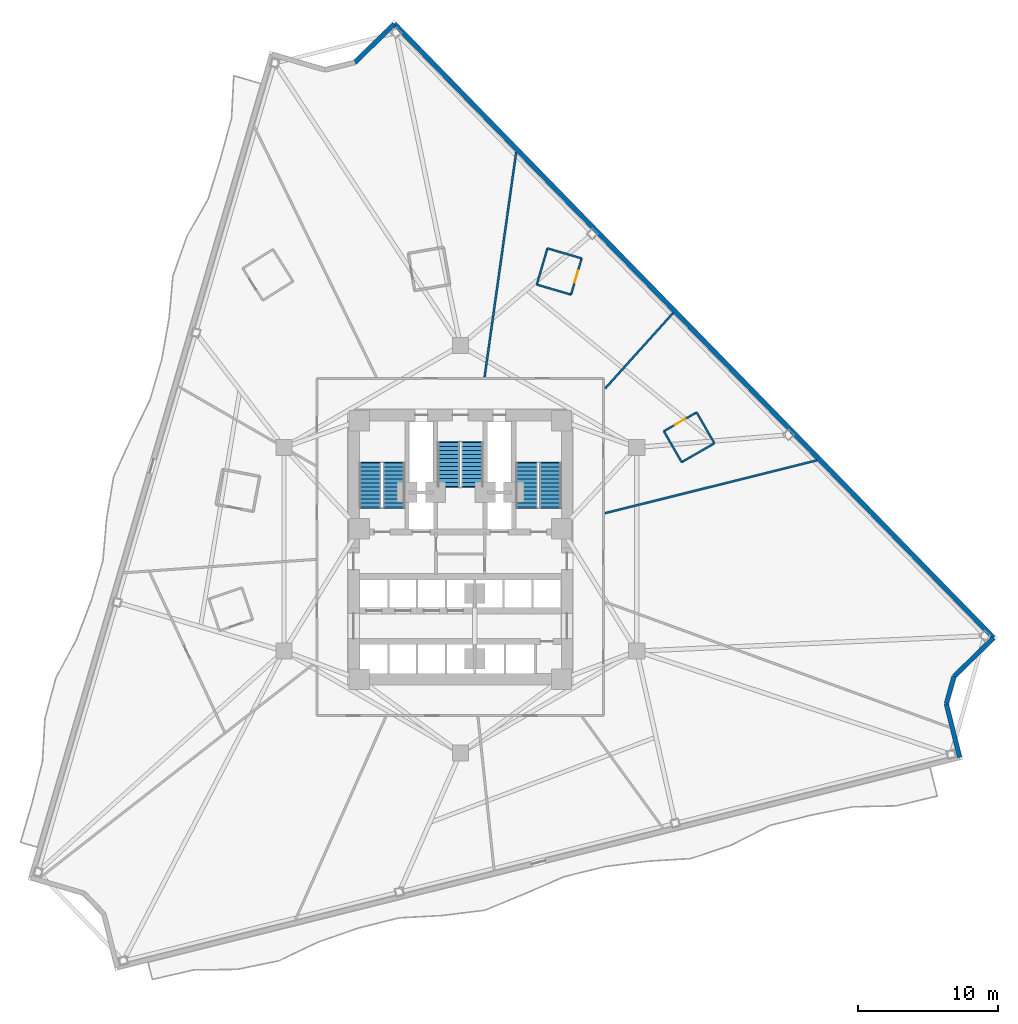
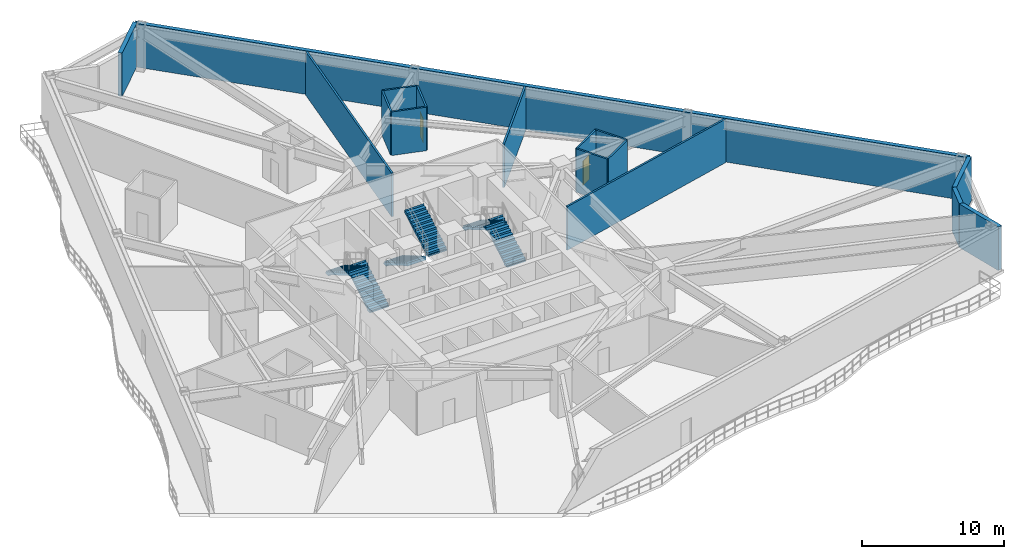
# One storey, part 6 of 9: 16 walls, 6 stair flights, 2 doors, 2 openings, 3 elements without a shape of their own.
"""IFC4 building model written with IfcOpenShell, lengths in metres."""

from ifc_helpers import new_model, si_unit, direction, frame, frame_2d, origin, place, context, subcontext, project, spatial, polyline, rectangle, outline, extrude, material, layer, layer_set, type_object, element, fill, aggregate, save


model = new_model("IFC4")

# Units and contexts
model_context = context("Model", 3, precision=1e-05, world=origin(), true_north=direction((0.0, 1.0)))
body_context = subcontext(model_context, "Body", "Model", "MODEL_VIEW")
ifc_project = project(units=[si_unit("LENGTHUNIT", "METRE"), si_unit("AREAUNIT", "SQUARE_METRE"), si_unit("VOLUMEUNIT", "CUBIC_METRE"), si_unit("PLANEANGLEUNIT", "RADIAN"), si_unit("MASSUNIT", "GRAM", prefix="KILO")], contexts=[model_context])

# Site, building, storey
site_placement = place(None, origin())
site = spatial("IfcSite", under=ifc_project, at=site_placement, CompositionType="ELEMENT")
building_placement = place(site_placement, origin())
building = spatial("IfcBuilding", under=site, at=building_placement, Name="Apsidion Concourse Tower", CompositionType="ELEMENT")
storey_placement = place(building_placement, frame((0.0, 0.0, 119.0)))
storey = spatial("IfcBuildingStorey", under=building, at=storey_placement, Name="L27", CompositionType="ELEMENT", Elevation=119.0)

# Walls
ifc_material_1 = material(Name="Precast concrete C40/50", Category="concrete")
ifc_layer_1 = layer(ifc_material_1, 0.320068359375)
ifc_layer_set_1 = layer_set([ifc_layer_1], Name="Precast concrete C40/50")
wall_type_1 = type_object("IfcWallType", Name="WL-EXT-320", PredefinedType="STANDARD", material=ifc_layer_set_1)
wall_1_placement = place(storey_placement, frame((-4.6982421875, 37.40185546875, 0.0), z_axis=(0.0, 0.0, 1.0), x_axis=(0.698490621109, -0.715619208954, 0.0)))
element("IfcWall", 1, at=wall_1_placement, inside=storey, type_object=wall_type_1, Name="L27 Precast Stone Facade Wall 01", PredefinedType="STANDARD", context=body_context, shape_type="SweptSolid", body=[
    extrude(rectangle(XDim=61.075927734375, YDim=0.320068359375, at=frame_2d((30.5380859375, 0.0))), origin(), (0.0, 0.0, 1.0), 3.75),
])
wall_2_placement = place(storey_placement, frame((37.962646484375, -6.30517578125, 0.0), z_axis=(0.0, 0.0, 1.0), x_axis=(-0.71562223009, -0.698487525873, 0.0)))
element("IfcWall", 2, at=wall_2_placement, inside=storey, type_object=wall_type_1, Name="L27 Precast Stone Facade Wall 02", PredefinedType="STANDARD", context=body_context, shape_type="SweptSolid", body=[
    extrude(rectangle(XDim=3.9326171875, YDim=0.320068359375, at=frame_2d((1.96630859375, 0.0))), origin(), (0.0, 0.0, 1.0), 3.75),
])
wall_3_placement = place(storey_placement, frame((35.1484375, -9.052001953125, 0.0), z_axis=(0.0, 0.0, 1.0), x_axis=(-0.27306692697, -0.961995038134, 0.0)))
element("IfcWall", 3, at=wall_3_placement, inside=storey, type_object=wall_type_1, Name="L27 Precast Stone Facade Wall 03", PredefinedType="STANDARD", context=body_context, shape_type="SweptSolid", body=[
    extrude(rectangle(XDim=2.02783203125, YDim=0.320068359375, at=frame_2d((1.013916015625, 0.0))), origin(), (0.0, 0.0, 1.0), 3.75),
])
wall_4_placement = place(storey_placement, frame((34.5947265625, -11.002685546875, 0.0), z_axis=(0.0, 0.0, 1.0), x_axis=(0.241936662418, -0.970292044375, 0.0)))
element("IfcWall", 4, at=wall_4_placement, inside=storey, type_object=wall_type_1, Name="L27 Precast Stone Facade Wall 04", PredefinedType="STANDARD", context=body_context, shape_type="SweptSolid", body=[
    extrude(rectangle(XDim=3.9326171875, YDim=0.320068359375, at=frame_2d((1.96630859375, 0.0))), origin(), (0.0, 0.0, 1.0), 3.75),
])
wall_5_placement = place(storey_placement, frame((-7.51318359375, 34.654296875, 0.0), z_axis=(0.0, 0.0, 1.0), x_axis=(0.715620001602, 0.698489809022, 0.0)))
element("IfcWall", 5, at=wall_5_placement, inside=storey, type_object=wall_type_1, Name="L27 Precast Stone Facade Wall 12", PredefinedType="STANDARD", context=body_context, shape_type="SweptSolid", body=[
    extrude(rectangle(XDim=3.93359375, YDim=0.320068359375, at=frame_2d((1.966796875, 0.0))), origin(), (0.0, 0.0, 1.0), 3.75),
])
ifc_material_2 = material(Name="Gypsum plasterboard partition")
ifc_layer_2 = layer(ifc_material_2, 0.139892578125)
ifc_layer_set_2 = layer_set([ifc_layer_2], Name="Gypsum plasterboard partition")
wall_type_2 = type_object("IfcWallType", Name="WL-INT-PAR-140", PredefinedType="PARTITIONING", material=ifc_layer_set_2)
wall_6_placement = place(storey_placement, frame((15.755859375, 6.202880859375, 0.0), z_axis=(0.0, 0.0, 1.0), x_axis=(0.866882771683, 0.498512046153, 0.0)))
element("IfcWall", 6, at=wall_6_placement, inside=storey, type_object=wall_type_2, Name="L27 Interior Partition WL-L27-POD-ENS06-S1", PredefinedType="PARTITIONING", context=body_context, shape_type="SweptSolid", body=[
    extrude(rectangle(XDim=2.690185546875, YDim=0.139892578125, at=frame_2d((1.34521484375, 0.0))), origin(), (0.0, 0.0, 1.0), 3.75),
])
wall_7_placement = place(storey_placement, frame((18.087890625, 7.5439453125, 0.0), z_axis=(0.0, 0.0, 1.0), x_axis=(-0.498476541984, 0.866903187843, 0.0)))
element("IfcWall", 7, at=wall_7_placement, inside=storey, type_object=wall_type_2, Name="L27 Interior Partition WL-L27-POD-ENS06-S2", PredefinedType="PARTITIONING", context=body_context, shape_type="SweptSolid", body=[
    extrude(rectangle(XDim=2.5400390625, YDim=0.139892578125, at=frame_2d((1.27001953125, 0.0))), origin(), (0.0, 0.0, 1.0), 3.75),
])

# Wall, opening, door
wall_8_placement = place(storey_placement, frame((16.82177734375, 9.745849609375, 0.0), z_axis=(0.0, 0.0, 1.0), x_axis=(-0.866921990277, -0.498443841143, 0.0)))
wall_8 = element("IfcWall", 8, at=wall_8_placement, inside=storey, type_object=wall_type_2, Name="L27 Interior Partition WL-L27-POD-ENS06-S3", PredefinedType="PARTITIONING", context=body_context, shape_type="SweptSolid", body=[
    extrude(rectangle(XDim=2.68994140625, YDim=0.139892578125, at=frame_2d((1.344970703125, 0.0))), origin(), (0.0, 0.0, 1.0), 3.75),
])
opening_1_placement = place(wall_8_placement, frame((0.905029296875, 0.0, 0.0)))
opening_1 = element("IfcOpeningElement", 9, at=opening_1_placement, cuts=wall_8, Name="Opening D-03L", PredefinedType="OPENING", context=body_context, shape_type="SweptSolid", body=[
    extrude(rectangle(XDim=0.8798828125, YDim=2.10009765625, at=frame_2d((0.43994140625, 1.050048828125))), frame((0.0, 0.080078125, 0.0), z_axis=(0.0, -1.0, 0.0), x_axis=(1.0, 0.0, 0.0)), (0.0, 0.0, 1.0), 0.159912109375),
])
ifc_material_3 = material(Name="Anodised aluminium EN AW-6063 T6", Category="aluminium")
door_type_1 = type_object("IfcDoorType", Name="DR-INT-D03L", OperationType="SINGLE_SWING_LEFT", PredefinedType="DOOR", material=ifc_material_3)
door_1_placement = place(opening_1_placement, origin())
door_1 = element("IfcDoor", 10, at=door_1_placement, inside=storey, type_object=door_type_1, Name="L27 Guest En-Suite Bathroom Door ENS06", OperationType="SINGLE_SWING_LEFT", OverallHeight=2.10009765625, OverallWidth=0.8798828125, PredefinedType="DOOR", context=body_context, shape_type="SweptSolid", body=[
    extrude(rectangle(XDim=0.8798828125, YDim=2.10009765625, at=frame_2d((0.43994140625, 1.050048828125))), frame((0.0, 0.02490234375, 0.0), z_axis=(0.0, -1.0, 0.0), x_axis=(1.0, 0.0, 0.0)), (0.0, 0.0, 1.0), 0.050048828125),
])
fill(opening_1, door_1)

# Wall
wall_9_placement = place(storey_placement, frame((14.48974609375, 8.405029296875, 0.0), z_axis=(0.0, 0.0, 1.0), x_axis=(0.498435008598, -0.866927068561, 0.0)))
element("IfcWall", 11, at=wall_9_placement, inside=storey, type_object=wall_type_2, Name="L27 Interior Partition WL-L27-POD-ENS06-S4", PredefinedType="PARTITIONING", context=body_context, shape_type="SweptSolid", body=[
    extrude(rectangle(XDim=2.540283203125, YDim=0.139892578125, at=frame_2d((1.27001953125, 0.0))), origin(), (0.0, 0.0, 1.0), 3.75),
])

# Wall, opening, door
wall_10_placement = place(storey_placement, frame((7.87939453125, 18.130615234375, 0.0), z_axis=(0.0, 0.0, 1.0), x_axis=(0.28072135576, 0.959789310432, 0.0)))
wall_10 = element("IfcWall", 12, at=wall_10_placement, inside=storey, type_object=wall_type_2, Name="L27 Interior Partition WL-L27-POD-ENS07-S1", PredefinedType="PARTITIONING", context=body_context, shape_type="SweptSolid", body=[
    extrude(rectangle(XDim=2.68994140625, YDim=0.139892578125, at=frame_2d((1.344970703125, 0.0))), origin(), (0.0, 0.0, 1.0), 3.75),
])
opening_2_placement = place(wall_10_placement, frame((0.905029296875, 0.0, 0.0)))
opening_2 = element("IfcOpeningElement", 13, at=opening_2_placement, cuts=wall_10, Name="Opening D-03R", PredefinedType="OPENING", context=body_context, shape_type="SweptSolid", body=[
    extrude(rectangle(XDim=0.8798828125, YDim=2.10009765625, at=frame_2d((0.43994140625, 1.050048828125))), frame((0.0, 0.080078125, 0.0), z_axis=(0.0, -1.0, 0.0), x_axis=(1.0, 0.0, 0.0)), (0.0, 0.0, 1.0), 0.159912109375),
])
door_type_2 = type_object("IfcDoorType", Name="DR-INT-D03R", OperationType="SINGLE_SWING_RIGHT", PredefinedType="DOOR", material=ifc_material_3)
door_2_placement = place(opening_2_placement, origin())
door_2 = element("IfcDoor", 14, at=door_2_placement, inside=storey, type_object=door_type_2, Name="L27 Guest En-Suite Bathroom Door ENS07", OperationType="SINGLE_SWING_RIGHT", OverallHeight=2.10009765625, OverallWidth=0.8798828125, PredefinedType="DOOR", context=body_context, shape_type="SweptSolid", body=[
    extrude(rectangle(XDim=0.8798828125, YDim=2.10009765625, at=frame_2d((0.43994140625, 1.050048828125))), frame((0.0, 0.02490234375, 0.0), z_axis=(0.0, -1.0, 0.0), x_axis=(1.0, 0.0, 0.0)), (0.0, 0.0, 1.0), 0.050048828125),
])
fill(opening_2, door_2)

# Walls
wall_11_placement = place(storey_placement, frame((8.634521484375, 20.71240234375, 0.0), z_axis=(0.0, 0.0, 1.0), x_axis=(-0.959808159588, 0.280656902263, 0.0)))
element("IfcWall", 15, at=wall_11_placement, inside=storey, type_object=wall_type_2, Name="L27 Interior Partition WL-L27-POD-ENS07-S2", PredefinedType="PARTITIONING", context=body_context, shape_type="SweptSolid", body=[
    extrude(rectangle(XDim=2.5400390625, YDim=0.139892578125, at=frame_2d((1.27001953125, 0.0))), origin(), (0.0, 0.0, 1.0), 3.75),
])
wall_12_placement = place(storey_placement, frame((6.196533203125, 21.42529296875, 0.0), z_axis=(0.0, 0.0, 1.0), x_axis=(-0.28072135576, -0.959789310432, 0.0)))
element("IfcWall", 16, at=wall_12_placement, inside=storey, type_object=wall_type_2, Name="L27 Interior Partition WL-L27-POD-ENS07-S3", PredefinedType="PARTITIONING", context=body_context, shape_type="SweptSolid", body=[
    extrude(rectangle(XDim=2.68994140625, YDim=0.139892578125, at=frame_2d((1.344970703125, 0.0))), origin(), (0.0, 0.0, 1.0), 3.75),
])
wall_13_placement = place(storey_placement, frame((5.44140625, 18.843505859375, 0.0), z_axis=(0.0, 0.0, 1.0), x_axis=(0.959808159588, -0.280656902263, 0.0)))
element("IfcWall", 17, at=wall_13_placement, inside=storey, type_object=wall_type_2, Name="L27 Interior Partition WL-L27-POD-ENS07-S4", PredefinedType="PARTITIONING", context=body_context, shape_type="SweptSolid", body=[
    extrude(rectangle(XDim=2.5400390625, YDim=0.139892578125, at=frame_2d((1.27001953125, 0.0))), origin(), (0.0, 0.0, 1.0), 3.75),
])
ifc_layer_3 = layer(ifc_material_2, 0.14990234375)
ifc_layer_set_3 = layer_set([ifc_layer_3], Name="Gypsum plasterboard partition")
wall_type_3 = type_object("IfcWallType", Name="WL-INT-PAR-150", PredefinedType="PARTITIONING", material=ifc_layer_set_3)
wall_14_placement = place(storey_placement, frame((10.304931640625, 2.5693359375, 0.0), z_axis=(0.0, 0.0, 1.0), x_axis=(0.970297530717, 0.241914658269, 0.0)))
element("IfcWall", 18, at=wall_14_placement, inside=storey, type_object=wall_type_3, Name="L27 Interior Partition WL-L27-RAD-01-1", PredefinedType="PARTITIONING", context=body_context, shape_type="SweptSolid", body=[
    extrude(rectangle(XDim=15.542724609375, YDim=0.14990234375, at=frame_2d((7.771484375, 0.0))), origin(), (0.0, 0.0, 1.0), 3.75),
])
wall_15_placement = place(storey_placement, frame((10.304931640625, 11.44482421875, 0.0), z_axis=(0.0, 0.0, 1.0), x_axis=(0.669132525049, 0.743143097876, 0.0)))
element("IfcWall", 19, at=wall_15_placement, inside=storey, type_object=wall_type_3, Name="L27 Interior Partition WL-L27-RAD-02-1", PredefinedType="PARTITIONING", context=body_context, shape_type="SweptSolid", body=[
    extrude(rectangle(XDim=7.234130859375, YDim=0.14990234375, at=frame_2d((3.6171875, 0.0))), origin(), (0.0, 0.0, 1.0), 3.75),
])
wall_16_placement = place(storey_placement, frame((1.722412109375, 12.2548828125, 0.0), z_axis=(0.0, 0.0, 1.0), x_axis=(0.139176176634, 0.990267636479, 0.0)))
element("IfcWall", 20, at=wall_16_placement, inside=storey, type_object=wall_type_3, Name="L27 Interior Partition WL-L27-RAD-03-1", PredefinedType="PARTITIONING", context=body_context, shape_type="SweptSolid", body=[
    extrude(rectangle(XDim=16.170166015625, YDim=0.14990234375, at=frame_2d((8.0849609375, 0.0))), origin(), (0.0, 0.0, 1.0), 3.75),
])

# Stair, stair flights
stair_type = type_object("IfcStairType", Name="ST-DL-1550", PredefinedType="HALF_TURN_STAIR", material=ifc_material_1)
stair_1_placement = place(storey_placement, origin())
stair_1 = element("IfcStair", 21, at=stair_1_placement, inside=storey, type_object=stair_type, Name="L27 Protected Core Exit Stair ST1", PredefinedType="HALF_TURN_STAIR")
stair_flight_type = type_object("IfcStairFlightType", Name="SFL-RC-1550", PredefinedType="STRAIGHT", material=ifc_material_1)
stair_flight_1_placement = place(storey_placement, frame((-4.72509765625, 3.0, 0.0), z_axis=(0.0, 0.0, 1.0), x_axis=(0.0, 1.0, 0.0)))
stair_flight_1 = element("IfcStairFlight", 22, at=stair_flight_1_placement, type_object=stair_flight_type, Name="ST1 flight 1", NumberOfRisers=12, NumberOfTreads=11, PredefinedType="STRAIGHT", RiserHeight=0.166666667, TreadLength=0.285, context=body_context, shape_type="SweptSolid", body=[
    extrude(outline(polyline([(-0.080078125, -0.1123046875), (-0.080078125, 0.0), (0.0, 0.0), (0.0, 0.166748046875), (0.284912109375, 0.166748046875), (0.284912109375, 0.333251953125), (0.570068359375, 0.333251953125), (0.570068359375, 0.5), (0.85498046875, 0.5), (0.85498046875, 0.666748046875), (1.139892578125, 0.666748046875), (1.139892578125, 0.833251953125), (1.425048828125, 0.833251953125), (1.425048828125, 1.0), (1.7099609375, 1.0), (1.7099609375, 1.166748046875), (1.9951171875, 1.166748046875), (1.9951171875, 1.333251953125), (2.280029296875, 1.333251953125), (2.280029296875, 1.5), (2.56494140625, 1.5), (2.56494140625, 1.666748046875), (2.85009765625, 1.666748046875), (2.85009765625, 1.833251953125), (3.135009765625, 1.833251953125), (3.135009765625, 2.0), (3.215087890625, 1.916748046875), (3.215087890625, 1.65966796875), (3.135009765625, 1.65966796875), (0.296875, 0.0), (0.296875, -0.1123046875), (-0.080078125, -0.1123046875)])), frame((0.0, 0.77490234375, 0.0), z_axis=(0.0, -1.0, 0.0), x_axis=(1.0, 0.0, 0.0)), (0.0, 0.0, 1.0), 1.550048828125),
])
stair_flight_2_placement = place(storey_placement, frame((-6.425048828125, 6.135009765625, 2.0), z_axis=(0.0, 0.0, 1.0), x_axis=(0.0, -1.0, 0.0)))
stair_flight_2 = element("IfcStairFlight", 23, at=stair_flight_2_placement, type_object=stair_flight_type, Name="ST1 flight 2", NumberOfRisers=12, NumberOfTreads=11, PredefinedType="STRAIGHT", RiserHeight=0.166666667, TreadLength=0.285, context=body_context, shape_type="SweptSolid", body=[
    extrude(outline(polyline([(-0.080078125, -0.1123046875), (-0.080078125, 0.0), (0.0, 0.0), (0.0, 0.166748046875), (0.284912109375, 0.166748046875), (0.284912109375, 0.333251953125), (0.570068359375, 0.333251953125), (0.570068359375, 0.5), (0.85498046875, 0.5), (0.85498046875, 0.666748046875), (1.139892578125, 0.666748046875), (1.139892578125, 0.833251953125), (1.425048828125, 0.833251953125), (1.425048828125, 1.0), (1.7099609375, 1.0), (1.7099609375, 1.166748046875), (1.9951171875, 1.166748046875), (1.9951171875, 1.333251953125), (2.280029296875, 1.333251953125), (2.280029296875, 1.5), (2.56494140625, 1.5), (2.56494140625, 1.666748046875), (2.85009765625, 1.666748046875), (2.85009765625, 1.833251953125), (3.135009765625, 1.833251953125), (3.135009765625, 2.0), (3.215087890625, 1.916748046875), (3.215087890625, 1.65966796875), (3.135009765625, 1.65966796875), (0.296875, 0.0), (0.296875, -0.1123046875), (-0.080078125, -0.1123046875)])), frame((0.0, 0.77490234375, 0.0), z_axis=(0.0, -1.0, 0.0), x_axis=(1.0, 0.0, 0.0)), (0.0, 0.0, 1.0), 1.550048828125),
])
aggregate(stair_1, [stair_flight_1, stair_flight_2])

stair_2_placement = place(storey_placement, origin())
stair_2 = element("IfcStair", 24, at=stair_2_placement, inside=storey, type_object=stair_type, Name="L27 Protected Core Exit Stair ST2", PredefinedType="HALF_TURN_STAIR")
stair_flight_3_placement = place(storey_placement, frame((6.425048828125, 3.0, 0.0), z_axis=(0.0, 0.0, 1.0), x_axis=(0.0, 1.0, 0.0)))
stair_flight_3 = element("IfcStairFlight", 25, at=stair_flight_3_placement, type_object=stair_flight_type, Name="ST2 flight 1", NumberOfRisers=12, NumberOfTreads=11, PredefinedType="STRAIGHT", RiserHeight=0.166666667, TreadLength=0.285, context=body_context, shape_type="SweptSolid", body=[
    extrude(outline(polyline([(-0.080078125, -0.1123046875), (-0.080078125, 0.0), (0.0, 0.0), (0.0, 0.166748046875), (0.284912109375, 0.166748046875), (0.284912109375, 0.333251953125), (0.570068359375, 0.333251953125), (0.570068359375, 0.5), (0.85498046875, 0.5), (0.85498046875, 0.666748046875), (1.139892578125, 0.666748046875), (1.139892578125, 0.833251953125), (1.425048828125, 0.833251953125), (1.425048828125, 1.0), (1.7099609375, 1.0), (1.7099609375, 1.166748046875), (1.9951171875, 1.166748046875), (1.9951171875, 1.333251953125), (2.280029296875, 1.333251953125), (2.280029296875, 1.5), (2.56494140625, 1.5), (2.56494140625, 1.666748046875), (2.85009765625, 1.666748046875), (2.85009765625, 1.833251953125), (3.135009765625, 1.833251953125), (3.135009765625, 2.0), (3.215087890625, 1.916748046875), (3.215087890625, 1.65966796875), (3.135009765625, 1.65966796875), (0.296875, 0.0), (0.296875, -0.1123046875), (-0.080078125, -0.1123046875)])), frame((0.0, 0.77490234375, 0.0), z_axis=(0.0, -1.0, 0.0), x_axis=(1.0, 0.0, 0.0)), (0.0, 0.0, 1.0), 1.550048828125),
])
stair_flight_4_placement = place(storey_placement, frame((4.72509765625, 6.135009765625, 2.0), z_axis=(0.0, 0.0, 1.0), x_axis=(0.0, -1.0, 0.0)))
stair_flight_4 = element("IfcStairFlight", 26, at=stair_flight_4_placement, type_object=stair_flight_type, Name="ST2 flight 2", NumberOfRisers=12, NumberOfTreads=11, PredefinedType="STRAIGHT", RiserHeight=0.166666667, TreadLength=0.285, context=body_context, shape_type="SweptSolid", body=[
    extrude(outline(polyline([(-0.080078125, -0.1123046875), (-0.080078125, 0.0), (0.0, 0.0), (0.0, 0.166748046875), (0.284912109375, 0.166748046875), (0.284912109375, 0.333251953125), (0.570068359375, 0.333251953125), (0.570068359375, 0.5), (0.85498046875, 0.5), (0.85498046875, 0.666748046875), (1.139892578125, 0.666748046875), (1.139892578125, 0.833251953125), (1.425048828125, 0.833251953125), (1.425048828125, 1.0), (1.7099609375, 1.0), (1.7099609375, 1.166748046875), (1.9951171875, 1.166748046875), (1.9951171875, 1.333251953125), (2.280029296875, 1.333251953125), (2.280029296875, 1.5), (2.56494140625, 1.5), (2.56494140625, 1.666748046875), (2.85009765625, 1.666748046875), (2.85009765625, 1.833251953125), (3.135009765625, 1.833251953125), (3.135009765625, 2.0), (3.215087890625, 1.916748046875), (3.215087890625, 1.65966796875), (3.135009765625, 1.65966796875), (0.296875, 0.0), (0.296875, -0.1123046875), (-0.080078125, -0.1123046875)])), frame((0.0, 0.77490234375, 0.0), z_axis=(0.0, -1.0, 0.0), x_axis=(1.0, 0.0, 0.0)), (0.0, 0.0, 1.0), 1.550048828125),
])
aggregate(stair_2, [stair_flight_3, stair_flight_4])

stair_3_placement = place(storey_placement, origin())
stair_3 = element("IfcStair", 27, at=stair_3_placement, inside=storey, type_object=stair_type, Name="L27 Protected Core Exit Stair ST3", PredefinedType="HALF_TURN_STAIR")
stair_flight_5_placement = place(storey_placement, frame((-0.85009765625, 7.60009765625, 0.0), z_axis=(0.0, 0.0, 1.0), x_axis=(0.0, -1.0, 0.0)))
stair_flight_5 = element("IfcStairFlight", 28, at=stair_flight_5_placement, type_object=stair_flight_type, Name="ST3 flight 1", NumberOfRisers=12, NumberOfTreads=11, PredefinedType="STRAIGHT", RiserHeight=0.166666667, TreadLength=0.285, context=body_context, shape_type="SweptSolid", body=[
    extrude(outline(polyline([(-0.080078125, -0.1123046875), (-0.080078125, 0.0), (0.0, 0.0), (0.0, 0.166748046875), (0.284912109375, 0.166748046875), (0.284912109375, 0.333251953125), (0.570068359375, 0.333251953125), (0.570068359375, 0.5), (0.85498046875, 0.5), (0.85498046875, 0.666748046875), (1.139892578125, 0.666748046875), (1.139892578125, 0.833251953125), (1.425048828125, 0.833251953125), (1.425048828125, 1.0), (1.7099609375, 1.0), (1.7099609375, 1.166748046875), (1.9951171875, 1.166748046875), (1.9951171875, 1.333251953125), (2.280029296875, 1.333251953125), (2.280029296875, 1.5), (2.56494140625, 1.5), (2.56494140625, 1.666748046875), (2.85009765625, 1.666748046875), (2.85009765625, 1.833251953125), (3.135009765625, 1.833251953125), (3.135009765625, 2.0), (3.215087890625, 1.916748046875), (3.215087890625, 1.65966796875), (3.135009765625, 1.65966796875), (0.296875, 0.0), (0.296875, -0.1123046875), (-0.080078125, -0.1123046875)])), frame((0.0, 0.77490234375, 0.0), z_axis=(0.0, -1.0, 0.0), x_axis=(1.0, 0.0, 0.0)), (0.0, 0.0, 1.0), 1.550048828125),
])
stair_flight_6_placement = place(storey_placement, frame((0.85009765625, 4.465087890625, 2.0), z_axis=(0.0, 0.0, 1.0), x_axis=(0.0, 1.0, 0.0)))
stair_flight_6 = element("IfcStairFlight", 29, at=stair_flight_6_placement, type_object=stair_flight_type, Name="ST3 flight 2", NumberOfRisers=12, NumberOfTreads=11, PredefinedType="STRAIGHT", RiserHeight=0.166666667, TreadLength=0.285, context=body_context, shape_type="SweptSolid", body=[
    extrude(outline(polyline([(-0.080078125, -0.1123046875), (-0.080078125, 0.0), (0.0, 0.0), (0.0, 0.166748046875), (0.284912109375, 0.166748046875), (0.284912109375, 0.333251953125), (0.570068359375, 0.333251953125), (0.570068359375, 0.5), (0.85498046875, 0.5), (0.85498046875, 0.666748046875), (1.139892578125, 0.666748046875), (1.139892578125, 0.833251953125), (1.425048828125, 0.833251953125), (1.425048828125, 1.0), (1.7099609375, 1.0), (1.7099609375, 1.166748046875), (1.9951171875, 1.166748046875), (1.9951171875, 1.333251953125), (2.280029296875, 1.333251953125), (2.280029296875, 1.5), (2.56494140625, 1.5), (2.56494140625, 1.666748046875), (2.85009765625, 1.666748046875), (2.85009765625, 1.833251953125), (3.135009765625, 1.833251953125), (3.135009765625, 2.0), (3.215087890625, 1.916748046875), (3.215087890625, 1.65966796875), (3.135009765625, 1.65966796875), (0.296875, 0.0), (0.296875, -0.1123046875), (-0.080078125, -0.1123046875)])), frame((0.0, 0.77490234375, 0.0), z_axis=(0.0, -1.0, 0.0), x_axis=(1.0, 0.0, 0.0)), (0.0, 0.0, 1.0), 1.550048828125),
])
aggregate(stair_3, [stair_flight_5, stair_flight_6])

save(model, "model.ifc")
